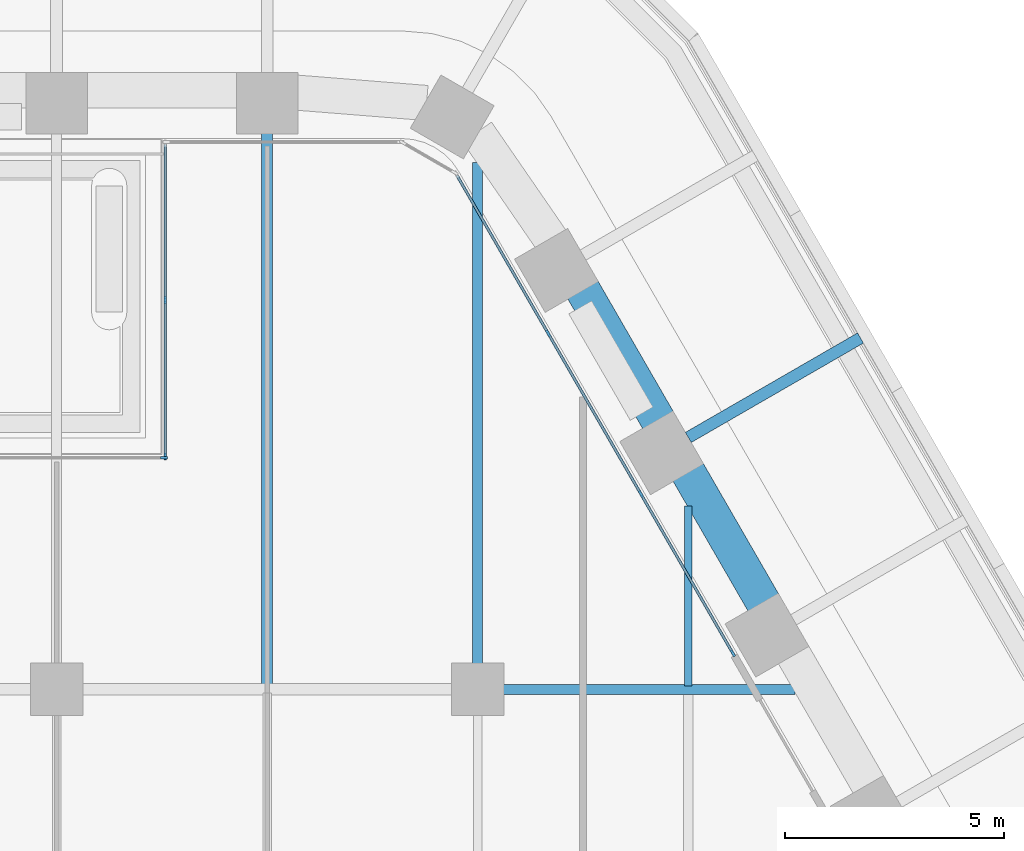
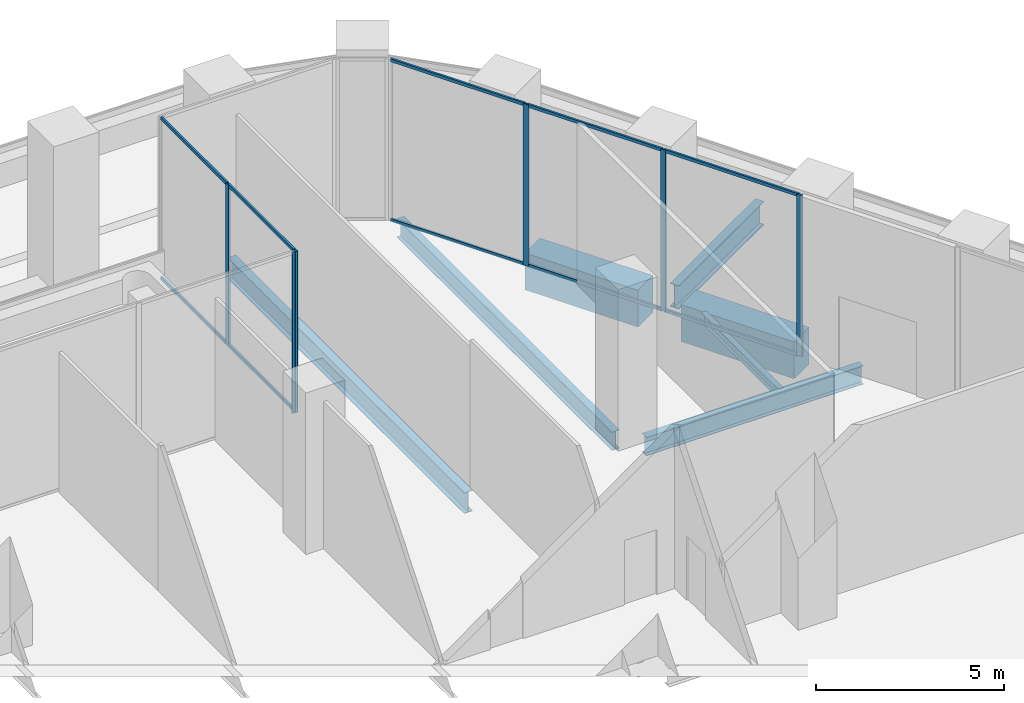
# One storey, part 11 of 30: 16 members, 7 beams, 3 elements without a shape of their own.
"""IFC4 building model written with IfcOpenShell, lengths in metres."""

from ifc_helpers import new_model, si_unit, direction, frame, origin, origin_2d, place, context, subcontext, project, spatial, rectangle, i_section, extrude, material, material_profile, profile_set, type_object, element, aggregate, save


model = new_model("IFC4")

# Units and contexts
model_context = context("Model", 3, precision=1e-05, world=origin(), true_north=direction((0.0, 1.0)))
body_context = subcontext(model_context, "Body", "Model", "MODEL_VIEW")
ifc_project = project(units=[si_unit("LENGTHUNIT", "METRE"), si_unit("AREAUNIT", "SQUARE_METRE"), si_unit("VOLUMEUNIT", "CUBIC_METRE"), si_unit("PLANEANGLEUNIT", "RADIAN"), si_unit("MASSUNIT", "GRAM", prefix="KILO")], contexts=[model_context])

# Site, building, storey
site_placement = place(None, origin())
site = spatial("IfcSite", under=ifc_project, at=site_placement, CompositionType="ELEMENT")
building_placement = place(site_placement, origin())
building = spatial("IfcBuilding", under=site, at=building_placement, Name="Kolab Exchange Tower", CompositionType="ELEMENT")
storey_placement = place(building_placement, frame((0.0, 0.0, 38.89990234375)))
storey = spatial("IfcBuildingStorey", under=building, at=storey_placement, Name="L07", CompositionType="ELEMENT", Elevation=38.89990234375)

# Beams
ifc_material_1 = material(Name="Steel S355", Category="steel")
ifc_material_profile_1 = material_profile(ifc_material_1, i_section(OverallWidth=0.1650390625, OverallDepth=0.31005859375, WebThickness=0.005859375, FlangeThickness=0.009765625, at=origin_2d()), Name="W310X39")
ifc_profile_set_1 = profile_set([ifc_material_profile_1], Name="Steel S355")
beam_type_1 = type_object("IfcBeamType", Name="FLOOR BEAM W310X39", PredefinedType="BEAM", material=ifc_profile_set_1)
beam_1_placement = place(storey_placement, frame((24.0, 19.27392578125, -0.40478515625), z_axis=(0.0, 1.0, 0.0), x_axis=(-1.0, 0.0, 0.0)))
element("IfcBeam", 1, at=beam_1_placement, inside=storey, type_object=beam_type_1, Name="beam/L07/fr/057", PredefinedType="BEAM", context=body_context, shape_type="SweptSolid", body=[
    extrude(i_section(OverallWidth=0.1650390625, OverallDepth=0.31005859375, WebThickness=0.005859375, FlangeThickness=0.009765625, at=origin_2d()), origin(), (0.0, 0.0, 1.0), 4.107666015625),
])
ifc_material_profile_2 = material_profile(ifc_material_1, i_section(OverallWidth=0.22802734375, OverallDepth=0.60791015625, WebThickness=0.01123046875, FlangeThickness=0.017333984375, at=origin_2d()), Name="W610X113")
ifc_profile_set_2 = profile_set([ifc_material_profile_2], Name="Steel S355")
beam_type_2 = type_object("IfcBeamType", Name="FLOOR BEAM W610X113", PredefinedType="BEAM", material=ifc_profile_set_2)
beam_2_placement = place(storey_placement, frame((19.199951171875, 19.760009765625, -0.553955078125), z_axis=(0.0, 1.0, 0.0), x_axis=(-1.0, 0.0, 0.0)))
element("IfcBeam", 2, at=beam_2_placement, inside=storey, type_object=beam_type_2, Name="beam/L07/fr/051", PredefinedType="BEAM", context=body_context, shape_type="SweptSolid", body=[
    extrude(i_section(OverallWidth=0.22802734375, OverallDepth=0.60791015625, WebThickness=0.01123046875, FlangeThickness=0.017333984375, at=origin_2d()), origin(), (0.0, 0.0, 1.0), 11.45458984375),
])
ifc_material_profile_3 = material_profile(ifc_material_1, i_section(OverallWidth=0.25390625, OverallDepth=0.68408203125, WebThickness=0.012451171875, FlangeThickness=0.018798828125, at=origin_2d()), Name="W690X140")
ifc_profile_set_3 = profile_set([ifc_material_profile_3], Name="Steel S355")
beam_type_3 = type_object("IfcBeamType", Name="FLOOR BEAM W690X140", PredefinedType="BEAM", material=ifc_profile_set_3)
beam_3_placement = place(storey_placement, frame((14.39990234375, 19.287109375, -0.591796875), z_axis=(0.0, 1.0, 0.0), x_axis=(-1.0, 0.0, 0.0)))
element("IfcBeam", 3, at=beam_3_placement, inside=storey, type_object=beam_type_3, Name="beam/L07/fr/045", PredefinedType="BEAM", context=body_context, shape_type="SweptSolid", body=[
    extrude(i_section(OverallWidth=0.25390625, OverallDepth=0.68408203125, WebThickness=0.012451171875, FlangeThickness=0.018798828125, at=origin_2d()), origin(), (0.0, 0.0, 1.0), 12.6083984375),
])
ifc_material_profile_4 = material_profile(ifc_material_1, i_section(OverallWidth=0.22802734375, OverallDepth=0.60791015625, WebThickness=0.01123046875, FlangeThickness=0.017333984375, at=origin_2d()), Name="W610X113")
ifc_profile_set_4 = profile_set([ifc_material_profile_4], Name="Steel S355")
beam_type_4 = type_object("IfcBeamType", Name="FLOOR GIRDER W610X113", PredefinedType="BEAM", material=ifc_profile_set_4)
beam_4_placement = place(storey_placement, frame((19.760009765625, 19.199951171875, -0.553955078125), z_axis=(1.0, 0.0, 0.0), x_axis=(0.0, 1.0, 0.0)))
element("IfcBeam", 4, at=beam_4_placement, inside=storey, type_object=beam_type_4, Name="beam/L07/gd/023", PredefinedType="BEAM", context=body_context, shape_type="SweptSolid", body=[
    extrude(i_section(OverallWidth=0.22802734375, OverallDepth=0.60791015625, WebThickness=0.01123046875, FlangeThickness=0.017333984375, at=origin_2d()), origin(), (0.0, 0.0, 1.0), 6.671142578125),
])
ifc_material_profile_5 = material_profile(ifc_material_1, i_section(OverallWidth=0.26708984375, OverallDepth=0.761962890625, WebThickness=0.014404296875, FlangeThickness=0.021484375, at=origin_2d()), Name="W760X173")
ifc_profile_set_5 = profile_set([ifc_material_profile_5], Name="Steel S355")
beam_type_5 = type_object("IfcBeamType", Name="FLOOR GIRDER W760X173", PredefinedType="BEAM", material=ifc_profile_set_5)
beam_5_placement = place(storey_placement, frame((24.0, 24.94140625, -0.69091796875), z_axis=(0.866020560687, 0.500008388397, 0.0), x_axis=(-0.500008388397, 0.866020560687, 0.0)))
element("IfcBeam", 5, at=beam_5_placement, inside=storey, type_object=beam_type_5, Name="beam/L07/ledge/rib-10", PredefinedType="BEAM", context=body_context, shape_type="SweptSolid", body=[
    extrude(i_section(OverallWidth=0.26708984375, OverallDepth=0.761962890625, WebThickness=0.014404296875, FlangeThickness=0.021484375, at=origin_2d()), origin(), (0.0, 0.0, 1.0), 4.533203125),
])
ifc_material_2 = material(Name="Concrete C80/95", Category="concrete")
ifc_material_profile_6 = material_profile(ifc_material_2, rectangle(XDim=0.800048828125, YDim=1.199951171875, at=origin_2d()), Name="RC800X1200")
ifc_profile_set_6 = profile_set([ifc_material_profile_6], Name="Concrete C80/95")
beam_type_6 = type_object("IfcBeamType", Name="SPANDREL BEAM 800X1200 C80/95", PredefinedType="BEAM", material=ifc_profile_set_6)
beam_6_placement = place(storey_placement, frame((21.58349609375, 28.326904296875, -0.849853515625), z_axis=(0.499979528911, -0.866037222451, 0.0), x_axis=(0.866037222451, 0.499979528911, 0.0)))
element("IfcBeam", 6, at=beam_6_placement, inside=storey, type_object=beam_type_6, Name="beam/L07/sp/F2-02", PredefinedType="BEAM", context=body_context, shape_type="SweptSolid", body=[
    extrude(rectangle(XDim=0.800048828125, YDim=1.199951171875, at=origin_2d()), origin(), (0.0, 0.0, 1.0), 3.480224609375),
])
beam_7_placement = place(storey_placement, frame((23.983642578125, 24.169921875, -0.849853515625), z_axis=(0.500009906705, -0.86601968407, 0.0), x_axis=(0.86601968407, 0.500009906705, 0.0)))
element("IfcBeam", 7, at=beam_7_placement, inside=storey, type_object=beam_type_6, Name="beam/L07/sp/F2-03", PredefinedType="BEAM", context=body_context, shape_type="SweptSolid", body=[
    extrude(rectangle(XDim=0.800048828125, YDim=1.199951171875, at=origin_2d()), origin(), (0.0, 0.0, 1.0), 3.47998046875),
])

# Curtain wall, member
ifc_material_3 = material(Name="Aluminium EN AW-6063 T6", Category="aluminium")
curtain_wall_type = type_object("IfcCurtainWallType", Name="UNITISED LOW ZONE CURTAIN WALL", PredefinedType="NOTDEFINED", material=ifc_material_3)
curtain_wall_1_placement = place(storey_placement, origin())
curtain_wall_1 = element("IfcCurtainWall", 8, at=curtain_wall_1_placement, inside=storey, type_object=curtain_wall_type, Name="cw/L07/F1-back-2", PredefinedType="NOTDEFINED")
ifc_material_profile_7 = material_profile(ifc_material_3, rectangle(XDim=0.06005859375, YDim=0.159912109375, at=origin_2d()), Name="RECT 60X160")
ifc_profile_set_7 = profile_set([ifc_material_profile_7], Name="Aluminium EN AW-6063 T6")
member_type_1 = type_object("IfcMemberType", Name="UNITISED LOW ZONE MULLION 60 X 160", PredefinedType="MULLION", material=ifc_profile_set_7)
member_1_placement = place(storey_placement, frame((12.050048828125, 24.475341796875, 0.0), z_axis=(0.0, 0.0, 1.0), x_axis=(0.0, 1.0, 0.0)))
member_1 = element("IfcMember", 9, at=member_1_placement, type_object=member_type_1, Name="CW1 mullion 3", PredefinedType="MULLION", context=body_context, shape_type="SweptSolid", body=[
    extrude(rectangle(XDim=0.06005859375, YDim=0.159912109375, at=origin_2d()), origin(), (0.0, 0.0, 1.0), 5.25),
])
aggregate(curtain_wall_1, [member_1])

# Curtain wall, members
curtain_wall_2_placement = place(storey_placement, origin())
curtain_wall_2 = element("IfcCurtainWall", 10, at=curtain_wall_2_placement, inside=storey, type_object=curtain_wall_type, Name="cw/L07/F1-rr-1", PredefinedType="NOTDEFINED")
member_2_placement = place(storey_placement, frame((12.080078125, 24.50537109375, 0.0), z_axis=(0.0, 0.0, 1.0), x_axis=(-1.0, 0.0, 0.0)))
member_2 = element("IfcMember", 11, at=member_2_placement, type_object=member_type_1, Name="CW1 mullion 1", PredefinedType="MULLION", context=body_context, shape_type="SweptSolid", body=[
    extrude(rectangle(XDim=0.06005859375, YDim=0.159912109375, at=origin_2d()), origin(), (0.0, 0.0, 1.0), 5.25),
])
member_3_placement = place(storey_placement, frame((12.080078125, 28.075439453125, 0.0), z_axis=(0.0, 0.0, 1.0), x_axis=(-1.0, 0.0, 0.0)))
member_3 = element("IfcMember", 12, at=member_3_placement, type_object=member_type_1, Name="CW1 mullion 2", PredefinedType="MULLION", context=body_context, shape_type="SweptSolid", body=[
    extrude(rectangle(XDim=0.06005859375, YDim=0.159912109375, at=origin_2d()), origin(), (0.0, 0.0, 1.0), 5.25),
])

curtain_wall_3_placement = place(storey_placement, origin())
curtain_wall_3 = element("IfcCurtainWall", 13, at=curtain_wall_3_placement, inside=storey, type_object=curtain_wall_type, Name="cw/L07/F2-1", PredefinedType="NOTDEFINED")
member_4_placement = place(storey_placement, frame((20.80908203125, 27.308349609375, 0.0), z_axis=(0.0, 0.0, 1.0), x_axis=(0.866025393644, 0.500000017564, 0.0)))
member_4 = element("IfcMember", 14, at=member_4_placement, type_object=member_type_1, Name="CW1 mullion 2", PredefinedType="MULLION", context=body_context, shape_type="SweptSolid", body=[
    extrude(rectangle(XDim=0.06005859375, YDim=0.159912109375, at=origin_2d()), origin(), (0.0, 0.0, 1.0), 5.25),
])
member_5_placement = place(storey_placement, frame((22.92041015625, 23.651611328125, 0.0), z_axis=(0.0, 0.0, 1.0), x_axis=(0.866025393644, 0.500000017564, 0.0)))
member_5 = element("IfcMember", 15, at=member_5_placement, type_object=member_type_1, Name="CW1 mullion 3", PredefinedType="MULLION", context=body_context, shape_type="SweptSolid", body=[
    extrude(rectangle(XDim=0.06005859375, YDim=0.159912109375, at=origin_2d()), origin(), (0.0, 0.0, 1.0), 5.25),
])
member_6_placement = place(storey_placement, frame((25.0166015625, 20.0205078125, 0.0), z_axis=(0.0, 0.0, 1.0), x_axis=(0.866025393644, 0.500000017564, 0.0)))
member_6 = element("IfcMember", 16, at=member_6_placement, type_object=member_type_1, Name="CW1 mullion 4", PredefinedType="MULLION", context=body_context, shape_type="SweptSolid", body=[
    extrude(rectangle(XDim=0.06005859375, YDim=0.159912109375, at=origin_2d()), origin(), (0.0, 0.0, 1.0), 5.25),
])

# Member
ifc_material_profile_8 = material_profile(ifc_material_3, rectangle(XDim=0.06005859375, YDim=0.10009765625, at=origin_2d()), Name="RECT 60X100")
ifc_profile_set_8 = profile_set([ifc_material_profile_8], Name="Aluminium EN AW-6063 T6")
member_type_2 = type_object("IfcMemberType", Name="UNITISED LOW ZONE TRANSOM 60 X 100", PredefinedType="USERDEFINED", material=ifc_profile_set_8)
member_7_placement = place(storey_placement, frame((12.080078125, 24.535400390625, 0.030029296875), z_axis=(0.0, 1.0, 0.0), x_axis=(-1.0, 0.0, 0.0)))
member_7 = element("IfcMember", 17, at=member_7_placement, type_object=member_type_2, Name="CW1 transom 1.1", ObjectType="TRANSOM", PredefinedType="USERDEFINED", context=body_context, shape_type="SweptSolid", body=[
    extrude(rectangle(XDim=0.06005859375, YDim=0.10009765625, at=origin_2d()), origin(), (0.0, 0.0, 1.0), 3.510009765625),
])

member_8_placement = place(storey_placement, frame((12.080078125, 24.535400390625, 5.22021484375), z_axis=(0.0, 1.0, 0.0), x_axis=(-1.0, 0.0, 0.0)))
member_8 = element("IfcMember", 18, at=member_8_placement, type_object=member_type_2, Name="CW1 transom 1.2", ObjectType="TRANSOM", PredefinedType="USERDEFINED", context=body_context, shape_type="SweptSolid", body=[
    extrude(rectangle(XDim=0.06005859375, YDim=0.10009765625, at=origin_2d()), origin(), (0.0, 0.0, 1.0), 3.510009765625),
])

member_9_placement = place(storey_placement, frame((12.080078125, 28.10546875, 0.030029296875), z_axis=(0.0, 1.0, 0.0), x_axis=(-1.0, 0.0, 0.0)))
member_9 = element("IfcMember", 19, at=member_9_placement, type_object=member_type_2, Name="CW1 transom 2.1", ObjectType="TRANSOM", PredefinedType="USERDEFINED", context=body_context, shape_type="SweptSolid", body=[
    extrude(rectangle(XDim=0.06005859375, YDim=0.10009765625, at=origin_2d()), origin(), (0.0, 0.0, 1.0), 3.510009765625),
])

member_10_placement = place(storey_placement, frame((12.080078125, 28.10546875, 5.22021484375), z_axis=(0.0, 1.0, 0.0), x_axis=(-1.0, 0.0, 0.0)))
member_10 = element("IfcMember", 20, at=member_10_placement, type_object=member_type_2, Name="CW1 transom 2.2", ObjectType="TRANSOM", PredefinedType="USERDEFINED", context=body_context, shape_type="SweptSolid", body=[
    extrude(rectangle(XDim=0.06005859375, YDim=0.10009765625, at=origin_2d()), origin(), (0.0, 0.0, 1.0), 3.510009765625),
])

aggregate(curtain_wall_2, [member_2, member_3, member_7, member_8, member_9, member_10])

member_11_placement = place(storey_placement, frame((18.727783203125, 30.913330078125, 0.030029296875), z_axis=(0.499983268986, -0.866035063224, 0.0), x_axis=(0.866035063224, 0.499983268986, 0.0)))
member_11 = element("IfcMember", 21, at=member_11_placement, type_object=member_type_2, Name="CW1 transom 1.1", ObjectType="TRANSOM", PredefinedType="USERDEFINED", context=body_context, shape_type="SweptSolid", body=[
    extrude(rectangle(XDim=0.06005859375, YDim=0.10009765625, at=origin_2d()), origin(), (0.0, 0.0, 1.0), 4.132568359375),
])

member_12_placement = place(storey_placement, frame((18.727783203125, 30.913330078125, 5.22021484375), z_axis=(0.499983268986, -0.866035063224, 0.0), x_axis=(0.866035063224, 0.499983268986, 0.0)))
member_12 = element("IfcMember", 22, at=member_12_placement, type_object=member_type_2, Name="CW1 transom 1.2", ObjectType="TRANSOM", PredefinedType="USERDEFINED", context=body_context, shape_type="SweptSolid", body=[
    extrude(rectangle(XDim=0.06005859375, YDim=0.10009765625, at=origin_2d()), origin(), (0.0, 0.0, 1.0), 4.132568359375),
])

member_13_placement = place(storey_placement, frame((20.823974609375, 27.282470703125, 0.030029296875), z_axis=(0.49999322259, -0.866029316688, 0.0), x_axis=(0.866029316688, 0.49999322259, 0.0)))
member_13 = element("IfcMember", 23, at=member_13_placement, type_object=member_type_2, Name="CW1 transom 2.1", ObjectType="TRANSOM", PredefinedType="USERDEFINED", context=body_context, shape_type="SweptSolid", body=[
    extrude(rectangle(XDim=0.06005859375, YDim=0.10009765625, at=origin_2d()), origin(), (0.0, 0.0, 1.0), 4.16259765625),
])

member_14_placement = place(storey_placement, frame((20.823974609375, 27.282470703125, 5.22021484375), z_axis=(0.49999322259, -0.866029316688, 0.0), x_axis=(0.866029316688, 0.49999322259, 0.0)))
member_14 = element("IfcMember", 24, at=member_14_placement, type_object=member_type_2, Name="CW1 transom 2.2", ObjectType="TRANSOM", PredefinedType="USERDEFINED", context=body_context, shape_type="SweptSolid", body=[
    extrude(rectangle(XDim=0.06005859375, YDim=0.10009765625, at=origin_2d()), origin(), (0.0, 0.0, 1.0), 4.16259765625),
])

member_15_placement = place(storey_placement, frame((22.935302734375, 23.62548828125, 0.030029296875), z_axis=(0.500027577057, -0.866009481578, 0.0), x_axis=(0.866009481578, 0.500027577057, 0.0)))
member_15 = element("IfcMember", 25, at=member_15_placement, type_object=member_type_2, Name="CW1 transom 3.1", ObjectType="TRANSOM", PredefinedType="USERDEFINED", context=body_context, shape_type="SweptSolid", body=[
    extrude(rectangle(XDim=0.06005859375, YDim=0.10009765625, at=origin_2d()), origin(), (0.0, 0.0, 1.0), 4.132568359375),
])

member_16_placement = place(storey_placement, frame((22.935302734375, 23.62548828125, 5.22021484375), z_axis=(0.500027577057, -0.866009481578, 0.0), x_axis=(0.866009481578, 0.500027577057, 0.0)))
member_16 = element("IfcMember", 26, at=member_16_placement, type_object=member_type_2, Name="CW1 transom 3.2", ObjectType="TRANSOM", PredefinedType="USERDEFINED", context=body_context, shape_type="SweptSolid", body=[
    extrude(rectangle(XDim=0.06005859375, YDim=0.10009765625, at=origin_2d()), origin(), (0.0, 0.0, 1.0), 4.132568359375),
])

aggregate(curtain_wall_3, [member_4, member_5, member_6, member_11, member_12, member_13, member_14, member_15, member_16])

save(model, "model.ifc")
